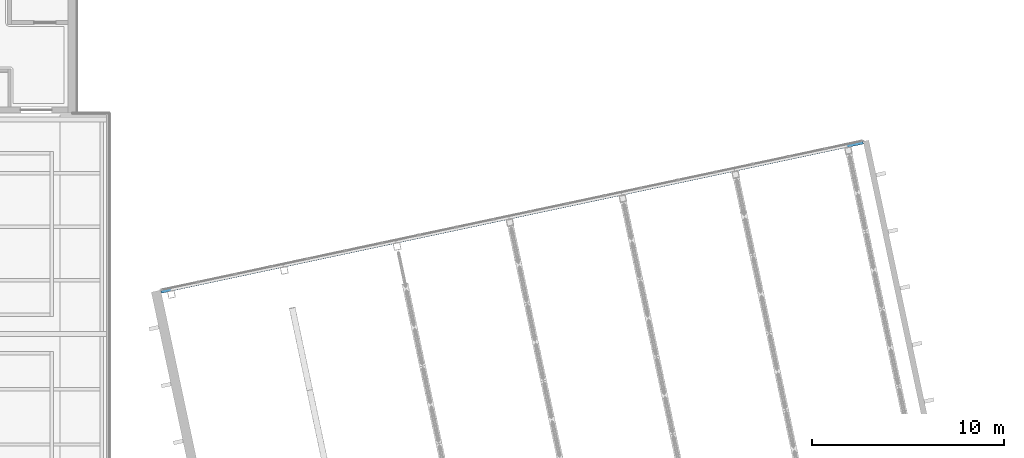
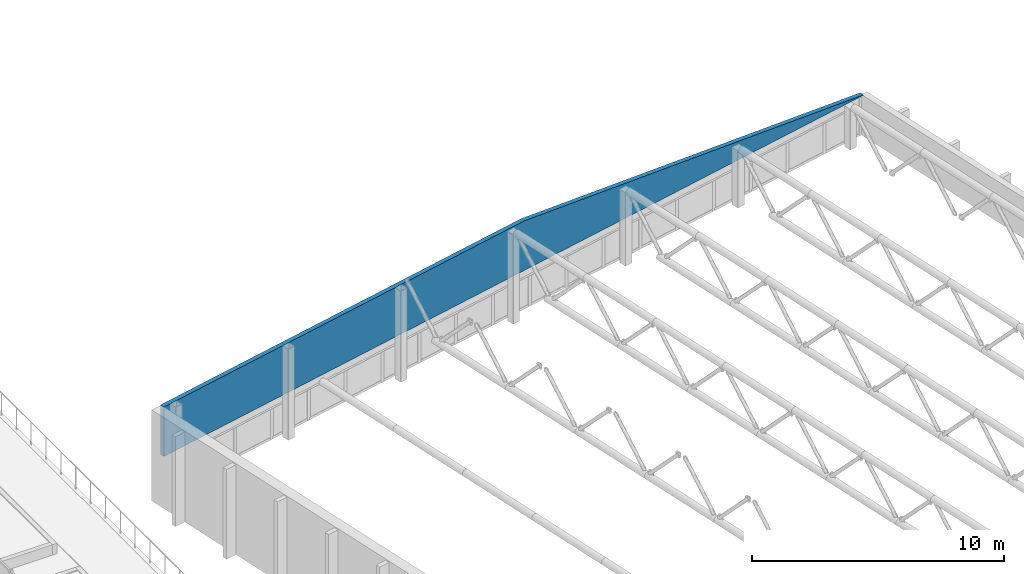
# One storey, part 34 of 58: 1 wall.
"""IFC4 building model written with IfcOpenShell, lengths in metres."""

from ifc_helpers import new_model, si_unit, direction, frame, origin, place, context, subcontext, project, spatial, polyline, outline, extrude, material, layer, layer_set, type_object, element, save


model = new_model("IFC4")

# Units and contexts
model_context = context("Model", 3, precision=1e-05, world=origin(), true_north=direction((0.0, 1.0)))
body_context = subcontext(model_context, "Body", "Model", "MODEL_VIEW")
ifc_project = project(units=[si_unit("LENGTHUNIT", "METRE"), si_unit("AREAUNIT", "SQUARE_METRE"), si_unit("VOLUMEUNIT", "CUBIC_METRE"), si_unit("PLANEANGLEUNIT", "RADIAN"), si_unit("MASSUNIT", "GRAM", prefix="KILO")], contexts=[model_context])

# Site, building, storey
site_placement = place(None, origin())
site = spatial("IfcSite", under=ifc_project, at=site_placement, CompositionType="ELEMENT")
building_placement = place(site_placement, origin())
building = spatial("IfcBuilding", under=site, at=building_placement, Name="Windward Yard Aquatics Centre", CompositionType="ELEMENT")
storey_placement = place(building_placement, frame((0.0, 0.0, 13.800048828125)))
storey = spatial("IfcBuildingStorey", under=building, at=storey_placement, Name="L03", CompositionType="ELEMENT", Elevation=13.800048828125)

# Wall
ifc_material = material(Name="Concrete C35/45", Category="concrete")
ifc_layer = layer(ifc_material, 0.199951171875)
ifc_layer_set = layer_set([ifc_layer], Name="D north fascia wall 200")
wall_type = type_object("IfcWallType", Name="D north fascia wall 200", PredefinedType="SOLIDWALL", material=ifc_layer_set)
wall_placement = place(storey_placement, frame((156.38427734375, 74.713623046875, 2.0), z_axis=(0.0, 0.0, 1.0), x_axis=(0.978147116138, 0.207913970649, 0.0)))
element("IfcWall", 1, at=wall_placement, inside=storey, type_object=wall_type, Name="D.W.FA.L03", PredefinedType="SOLIDWALL", context=body_context, shape_type="SweptSolid", body=[
    extrude(outline(polyline([(0.0, 0.0), (37.3349609375, 0.0), (37.3349609375, 0.02001953125), (19.246826171875, 2.39990234375), (0.0, 2.39990234375), (0.0, 0.0)])), frame((0.0, 0.10009765625, 0.0), z_axis=(0.0, -1.0, 0.0), x_axis=(1.0, 0.0, 0.0)), (0.0, 0.0, 1.0), 0.199951171875),
])

save(model, "model.ifc")
